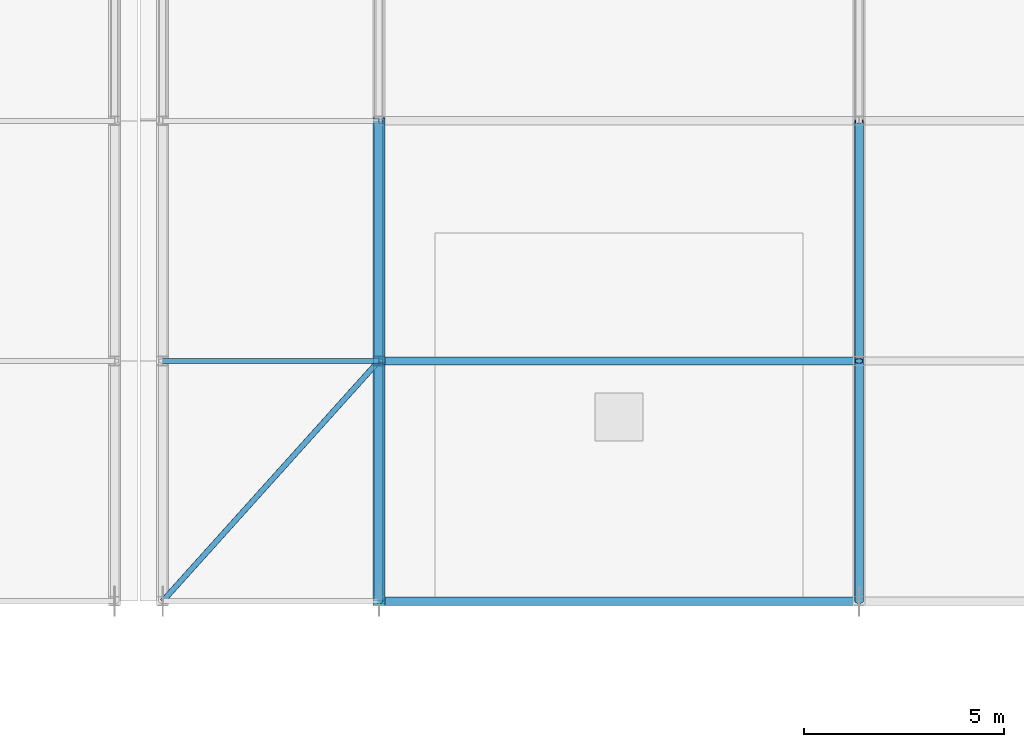
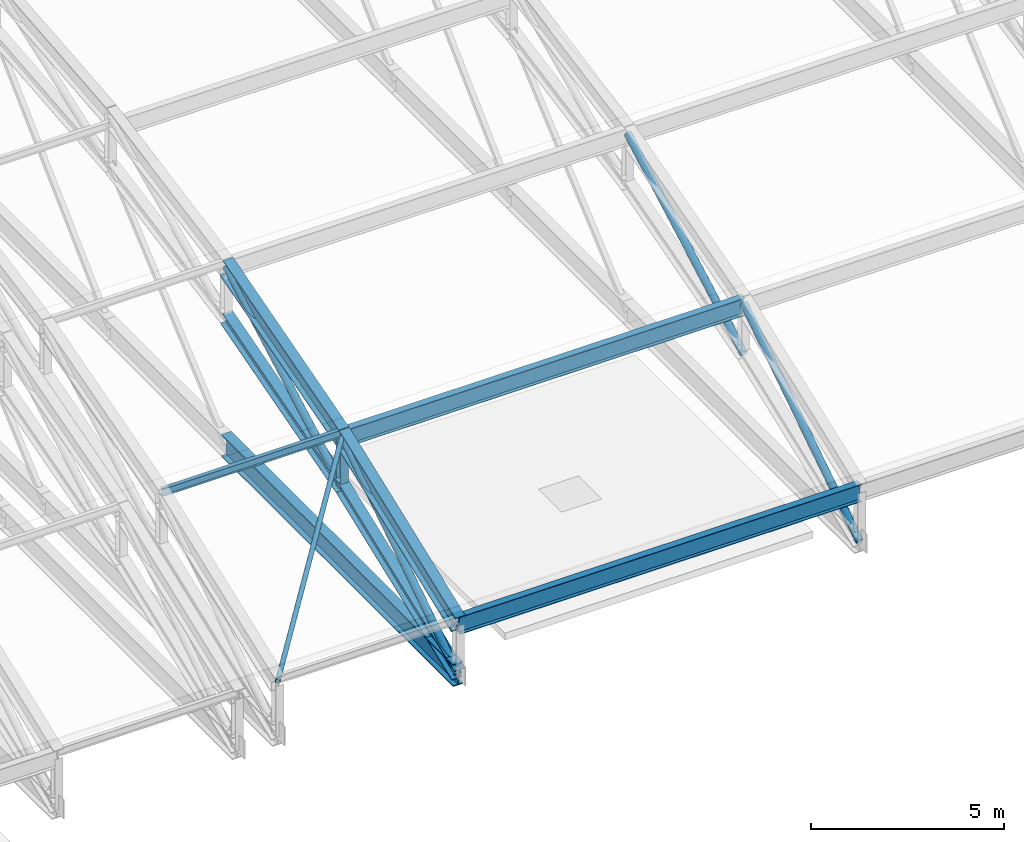
# One storey, part 120 of 204: 14 members.
"""IFC4 building model written with IfcOpenShell, lengths in metres."""

from ifc_helpers import new_model, si_unit, direction, frame, origin, origin_2d, place, context, subcontext, project, spatial, hollow_circle, i_section, extrude, material, material_profile, profile_set, type_object, element, save


model = new_model("IFC4")

# Units and contexts
model_context = context("Model", 3, precision=1e-05, world=origin(), true_north=direction((0.0, 1.0)))
body_context = subcontext(model_context, "Body", "Model", "MODEL_VIEW")
ifc_project = project(units=[si_unit("LENGTHUNIT", "METRE"), si_unit("AREAUNIT", "SQUARE_METRE"), si_unit("VOLUMEUNIT", "CUBIC_METRE"), si_unit("PLANEANGLEUNIT", "RADIAN"), si_unit("MASSUNIT", "GRAM", prefix="KILO")], contexts=[model_context])

# Site, building, storey
site_placement = place(None, origin())
site = spatial("IfcSite", under=ifc_project, at=site_placement, CompositionType="ELEMENT")
building_placement = place(site_placement, origin())
building = spatial("IfcBuilding", under=site, at=building_placement, Name="Zilviju Railside Exhibition Hall", CompositionType="ELEMENT")
storey_placement = place(building_placement, frame((0.0, 0.0, 21.0)))
storey = spatial("IfcBuildingStorey", under=building, at=storey_placement, Name="RF", CompositionType="ELEMENT", Elevation=21.0)

# Members
ifc_material = material(Name="Steel S355J2", Category="steel")
ifc_material_profile_1 = material_profile(ifc_material, hollow_circle(Radius=0.06982421875, WallThickness=0.00634765625, at=origin_2d()), Name="CHS 139.7x6.3")
ifc_profile_set_1 = profile_set([ifc_material_profile_1], Name="Steel S355J2")
member_type_1 = type_object("IfcMemberType", Name="TR-BR-CHS139", PredefinedType="BRACE", material=ifc_profile_set_1)
member_1_placement = place(storey_placement, frame((174.60009765625, 84.0, -1.94189453125), z_axis=(0.64432774386, 0.715932662677, 0.268853456374), x_axis=(-0.743300161789, 0.668958047626, 0.0)))
element("IfcMember", 1, at=member_1_placement, inside=storey, type_object=member_type_1, Name="V2 Roof Wind Brace (174.6..180.0)", PredefinedType="BRACE", context=body_context, shape_type="SweptSolid", body=[
    extrude(hollow_circle(Radius=0.06982421875, WallThickness=0.00634765625, at=origin_2d()), origin(), (0.0, 0.0, 1.0), 8.380615234375),
])
ifc_material_profile_2 = material_profile(ifc_material, hollow_circle(Radius=0.109619140625, WallThickness=0.010009765625, at=origin_2d()), Name="CHS 219.1x10.0")
ifc_profile_set_2 = profile_set([ifc_material_profile_2], Name="Steel S355J2")
member_type_2 = type_object("IfcMemberType", Name="TR-BR-CHS219", PredefinedType="BRACE", material=ifc_profile_set_2)
member_2_placement = place(storey_placement, frame((180.0, 84.0, -3.60009765625), z_axis=(0.0, 0.838995406637, 0.544138500423), x_axis=(-1.0, 0.0, 0.0)))
element("IfcMember", 2, at=member_2_placement, inside=storey, type_object=member_type_2, Name="V2 Parabolic Arch Web Diagonal X=180.0 P1", PredefinedType="BRACE", context=body_context, shape_type="SweptSolid", body=[
    extrude(hollow_circle(Radius=0.109619140625, WallThickness=0.010009765625, at=origin_2d()), origin(), (0.0, 0.0, 1.0), 7.1513671875),
])
member_3_placement = place(storey_placement, frame((180.0, 90.0, -1.30859375), z_axis=(0.0, 0.8750828143, 0.483973210122), x_axis=(-1.0, 0.0, 0.0)))
element("IfcMember", 3, at=member_3_placement, inside=storey, type_object=member_type_2, Name="V2 Parabolic Arch Web Diagonal X=180.0 P2", PredefinedType="BRACE", context=body_context, shape_type="SweptSolid", body=[
    extrude(hollow_circle(Radius=0.109619140625, WallThickness=0.010009765625, at=origin_2d()), origin(), (0.0, 0.0, 1.0), 6.8564453125),
])
member_4_placement = place(storey_placement, frame((192.0, 84.0, -3.60009765625), z_axis=(0.0, 0.838995406637, 0.544138500423), x_axis=(-1.0, 0.0, 0.0)))
element("IfcMember", 4, at=member_4_placement, inside=storey, type_object=member_type_2, Name="V2 Parabolic Arch Web Diagonal X=192.0 P1", PredefinedType="BRACE", context=body_context, shape_type="SweptSolid", body=[
    extrude(hollow_circle(Radius=0.109619140625, WallThickness=0.010009765625, at=origin_2d()), origin(), (0.0, 0.0, 1.0), 7.1513671875),
])
member_5_placement = place(storey_placement, frame((192.0, 90.0, -1.30859375), z_axis=(0.0, 0.8750828143, 0.483973210122), x_axis=(-1.0, 0.0, 0.0)))
element("IfcMember", 5, at=member_5_placement, inside=storey, type_object=member_type_2, Name="V2 Parabolic Arch Web Diagonal X=192.0 P2", PredefinedType="BRACE", context=body_context, shape_type="SweptSolid", body=[
    extrude(hollow_circle(Radius=0.109619140625, WallThickness=0.010009765625, at=origin_2d()), origin(), (0.0, 0.0, 1.0), 6.8564453125),
])
ifc_material_profile_3 = material_profile(ifc_material, i_section(OverallWidth=0.300048828125, OverallDepth=0.39990234375, WebThickness=0.013427734375, FlangeThickness=0.02392578125, at=origin_2d()), Name="HEB 400")
ifc_profile_set_3 = profile_set([ifc_material_profile_3], Name="Steel S355J2")
member_type_3 = type_object("IfcMemberType", Name="TR-CH-HEB400", PredefinedType="CHORD", material=ifc_profile_set_3)
member_6_placement = place(storey_placement, frame((180.0, 84.0, -3.60009765625), z_axis=(0.0, 0.934187521086, 0.35678239229), x_axis=(-1.0, 0.0, 0.0)))
element("IfcMember", 6, at=member_6_placement, inside=storey, type_object=member_type_3, Name="V2 Parabolic Arch Bottom Chord X=180.0 P1", PredefinedType="CHORD", context=body_context, shape_type="SweptSolid", body=[
    extrude(i_section(OverallWidth=0.300048828125, OverallDepth=0.39990234375, WebThickness=0.013427734375, FlangeThickness=0.02392578125, at=origin_2d()), origin(), (0.0, 0.0, 1.0), 6.422607421875),
])
member_7_placement = place(storey_placement, frame((180.0, 90.0, -1.30859375), z_axis=(0.0, 0.961345133658, 0.275346207512), x_axis=(-1.0, 0.0, 0.0)))
element("IfcMember", 7, at=member_7_placement, inside=storey, type_object=member_type_3, Name="V2 Parabolic Arch Bottom Chord X=180.0 P2", PredefinedType="CHORD", context=body_context, shape_type="SweptSolid", body=[
    extrude(i_section(OverallWidth=0.300048828125, OverallDepth=0.39990234375, WebThickness=0.013427734375, FlangeThickness=0.02392578125, at=origin_2d()), origin(), (0.0, 0.0, 1.0), 6.2412109375),
])
ifc_material_profile_4 = material_profile(ifc_material, i_section(OverallWidth=0.300048828125, OverallDepth=0.60009765625, WebThickness=0.015380859375, FlangeThickness=0.030029296875, at=origin_2d()), Name="HEB 600")
ifc_profile_set_4 = profile_set([ifc_material_profile_4], Name="Steel S355J2")
member_type_4 = type_object("IfcMemberType", Name="TR-CH-HEB600", PredefinedType="CHORD", material=ifc_profile_set_4)
member_8_placement = place(storey_placement, frame((180.0, 84.0, -2.0), z_axis=(0.0, 0.934200190194, 0.356749218138), x_axis=(-1.0, 0.0, 0.0)))
element("IfcMember", 8, at=member_8_placement, inside=storey, type_object=member_type_4, Name="V2 Parabolic Arch Top Chord X=180.0 P1", PredefinedType="CHORD", context=body_context, shape_type="SweptSolid", body=[
    extrude(i_section(OverallWidth=0.300048828125, OverallDepth=0.60009765625, WebThickness=0.015380859375, FlangeThickness=0.030029296875, at=origin_2d()), origin(), (0.0, 0.0, 1.0), 6.422607421875),
])
member_9_placement = place(storey_placement, frame((180.0, 90.0, 0.291259765625), z_axis=(0.0, 0.961345133658, 0.275346207512), x_axis=(-1.0, 0.0, 0.0)))
element("IfcMember", 9, at=member_9_placement, inside=storey, type_object=member_type_4, Name="V2 Parabolic Arch Top Chord X=180.0 P2", PredefinedType="CHORD", context=body_context, shape_type="SweptSolid", body=[
    extrude(i_section(OverallWidth=0.300048828125, OverallDepth=0.60009765625, WebThickness=0.015380859375, FlangeThickness=0.030029296875, at=origin_2d()), origin(), (0.0, 0.0, 1.0), 6.2412109375),
])
ifc_material_profile_5 = material_profile(ifc_material, i_section(OverallWidth=0.239990234375, OverallDepth=0.22998046875, WebThickness=0.007568359375, FlangeThickness=0.011962890625, at=origin_2d()), Name="HEA 240")
ifc_profile_set_5 = profile_set([ifc_material_profile_5], Name="Steel S355J2")
member_type_5 = type_object("IfcMemberType", Name="TR-POST-HEA240", PredefinedType="POST", material=ifc_profile_set_5)
member_10_placement = place(storey_placement, frame((180.0, 90.0, -1.30859375), z_axis=(0.0, 0.0, 1.0), x_axis=(1.0, 0.0, 0.0)))
element("IfcMember", 10, at=member_10_placement, inside=storey, type_object=member_type_5, Name="V2 Parabolic Arch Web Post X=180.0 N1", PredefinedType="POST", context=body_context, shape_type="SweptSolid", body=[
    extrude(i_section(OverallWidth=0.239990234375, OverallDepth=0.22998046875, WebThickness=0.007568359375, FlangeThickness=0.011962890625, at=origin_2d()), origin(), (0.0, 0.0, 1.0), 1.599853515625),
])
ifc_material_profile_6 = material_profile(ifc_material, i_section(OverallWidth=0.1201171875, OverallDepth=0.239990234375, WebThickness=0.006103515625, FlangeThickness=0.009765625, at=origin_2d()), Name="IPE 240")
ifc_profile_set_6 = profile_set([ifc_material_profile_6], Name="Steel S355J2")
member_type_6 = type_object("IfcMemberType", Name="TR-PUR-IPE240", PredefinedType="PURLIN", material=ifc_profile_set_6)
member_11_placement = place(storey_placement, frame((174.60009765625, 90.0, 0.41162109375), z_axis=(1.0, 0.0, 0.0), x_axis=(0.0, 1.0, 0.0)))
element("IfcMember", 11, at=member_11_placement, inside=storey, type_object=member_type_6, Name="V2 Barrel Vault Roof Purlin Y=90.0 (174.6..180.0)", PredefinedType="PURLIN", context=body_context, shape_type="SweptSolid", body=[
    extrude(i_section(OverallWidth=0.1201171875, OverallDepth=0.239990234375, WebThickness=0.006103515625, FlangeThickness=0.009765625, at=origin_2d()), origin(), (0.0, 0.0, 1.0), 5.39990234375),
])
ifc_material_profile_7 = material_profile(ifc_material, i_section(OverallWidth=0.2099609375, OverallDepth=0.550048828125, WebThickness=0.010986328125, FlangeThickness=0.01708984375, at=origin_2d()), Name="IPE 550")
ifc_profile_set_7 = profile_set([ifc_material_profile_7], Name="Steel S355J2")
member_type_7 = type_object("IfcMemberType", Name="TR-PUR-IPE550", PredefinedType="PURLIN", material=ifc_profile_set_7)
for number, where, z_axis, x_axis, name in (
    (12, (180.0, 84.0, -2.011962890625), (1.0, 0.0, 0.0), (0.0, 1.0, 0.0), "V2 Barrel Vault Roof Purlin Y=84.0 (180.0..192.0)"),
    (13, (180.0, 90.0, 0.239501953125), (1.0, 0.0, 0.0), (0.0, 1.0, 0.0), "V2 Barrel Vault Roof Purlin Y=90.0 (180.0..192.0)"),
):
    element("IfcMember", number, at=place(storey_placement, frame(where, z_axis=z_axis, x_axis=x_axis)), inside=storey, type_object=member_type_7, Name=name, PredefinedType="PURLIN", context=body_context, shape_type="SweptSolid", body=[
        extrude(i_section(OverallWidth=0.2099609375, OverallDepth=0.550048828125, WebThickness=0.010986328125, FlangeThickness=0.01708984375, at=origin_2d()), origin(), (0.0, 0.0, 1.0), 12.0),
    ])
ifc_material_profile_8 = material_profile(ifc_material, i_section(OverallWidth=0.300048828125, OverallDepth=0.699951171875, WebThickness=0.01708984375, FlangeThickness=0.031982421875, at=origin_2d()), Name="HEB 700")
ifc_profile_set_8 = profile_set([ifc_material_profile_8], Name="Steel S355J2")
member_type_8 = type_object("IfcMemberType", Name="TR-TIE-HEB700", PredefinedType="CHORD", material=ifc_profile_set_8)
member_12_placement = place(storey_placement, frame((180.0, 84.0, -3.60009765625), z_axis=(0.0, 1.0, 0.0), x_axis=(-1.0, 0.0, 0.0)))
element("IfcMember", 14, at=member_12_placement, inside=storey, type_object=member_type_8, Name="V2 Arch Tie Member X=180.0", PredefinedType="CHORD", context=body_context, shape_type="SweptSolid", body=[
    extrude(i_section(OverallWidth=0.300048828125, OverallDepth=0.699951171875, WebThickness=0.01708984375, FlangeThickness=0.031982421875, at=origin_2d()), origin(), (0.0, 0.0, 1.0), 12.0),
])

save(model, "model.ifc")
